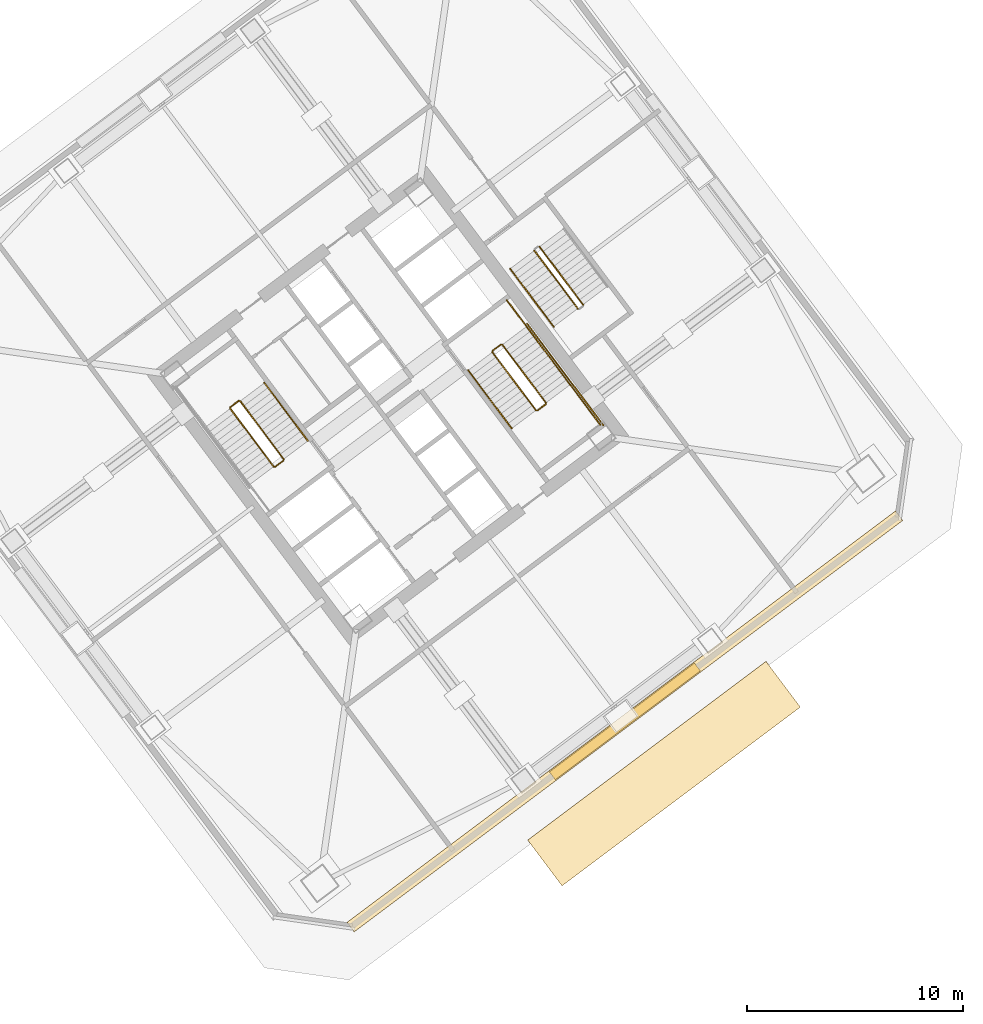
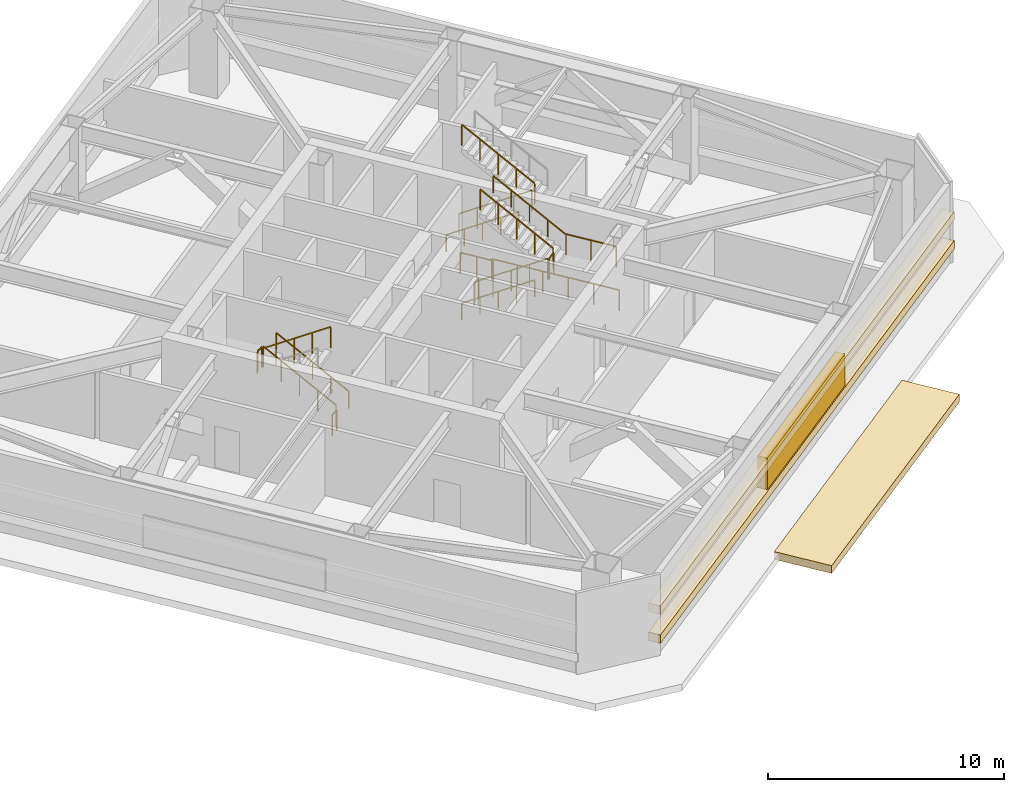
# One storey, part 13 of 15: 17 railings, 3 coverings, 1 shading device.
"""IFC4 building model written with IfcOpenShell, lengths in metres."""

from ifc_helpers import new_model, si_unit, direction, frame, origin, origin_2d, place, context, subcontext, project, spatial, rectangle, extrude, material, layer, layer_set, type_object, element, save


model = new_model("IFC4")

# Units and contexts
model_context = context("Model", 3, precision=1e-05, world=origin(), true_north=direction((0.0, 1.0)))
body_context = subcontext(model_context, "Body", "Model", "MODEL_VIEW")
ifc_project = project(units=[si_unit("LENGTHUNIT", "METRE"), si_unit("AREAUNIT", "SQUARE_METRE"), si_unit("VOLUMEUNIT", "CUBIC_METRE"), si_unit("PLANEANGLEUNIT", "RADIAN"), si_unit("MASSUNIT", "GRAM", prefix="KILO")], contexts=[model_context])

# Site, building, storey
site_placement = place(None, origin())
site = spatial("IfcSite", under=ifc_project, at=site_placement, CompositionType="ELEMENT")
building_placement = place(site_placement, origin())
building = spatial("IfcBuilding", under=site, at=building_placement, Name="Tashvorn Skyway Center", CompositionType="ELEMENT")
storey_placement = place(building_placement, frame((0.0, 0.0, 109.800048828125)))
storey = spatial("IfcBuildingStorey", under=building, at=storey_placement, Name="L29", CompositionType="ELEMENT", Elevation=109.800048828125)

# Coverings
ifc_material_1 = material(Name="Perforated ceramic-coated bronze aluminium solar screen", Category="aluminium")
ifc_layer_1 = layer(ifc_material_1, 0.85009765625)
ifc_layer_set_1 = layer_set([ifc_layer_1], Name="Perforated ceramic-coated bronze aluminium solar screen")
covering_type_1 = type_object("IfcCoveringType", Name="COV-SOLAR-BAND", PredefinedType="CLADDING", material=ifc_layer_set_1)
for number, where, z_axis, x_axis, name in (
    (1, (124.968017578125, 17.3759765625, 1.030029296875), (0.0, 0.0, 1.0), (-0.799999996291, -0.600000004945, 0.0), "Tower 2 L29 South Belt Acoustic Louvre Band 1"),
    (2, (124.968017578125, 17.3759765625, 2.530029296875), (0.0, 0.0, 1.0), (-0.799999996291, -0.600000004945, 0.0), "Tower 2 L29 South Belt Acoustic Louvre Band 2"),
):
    element("IfcCovering", number, at=place(storey_placement, frame(where, z_axis=z_axis, x_axis=x_axis)), inside=storey, type_object=covering_type_1, Name=name, PredefinedType="CLADDING", context=body_context, shape_type="SweptSolid", body=[
        extrude(rectangle(XDim=31.760009765625, YDim=0.550048828125, at=origin_2d()), origin(), (0.0, 0.0, 1.0), 0.43994140625),
    ])
ifc_material_2 = material(Name="Precast concrete C40/50", Category="concrete")
ifc_layer_2 = layer(ifc_material_2, 0.35009765625)
ifc_layer_set_2 = layer_set([ifc_layer_2], Name="Precast concrete C40/50")
covering_type_2 = type_object("IfcCoveringType", Name="COV-STONE-TRIM", PredefinedType="CLADDING", material=ifc_layer_set_2)
covering_placement = place(storey_placement, frame((126.780029296875, 14.9599609375, 0.0), z_axis=(0.0, 0.0, 1.0), x_axis=(-0.799999996291, -0.600000004945, 0.0)))
element("IfcCovering", 3, at=covering_placement, inside=storey, type_object=covering_type_2, Name="Tower 2 L28 Sky Garden Terracotta Canopy Hood", PredefinedType="CLADDING", context=body_context, shape_type="SweptSolid", body=[
    extrude(rectangle(XDim=13.800048828125, YDim=2.64990234375, at=origin_2d()), origin(), (0.0, 0.0, 1.0), 0.39990234375),
])

# Railings
ifc_material_3 = material(Name="Brushed stainless steel 316", Category="steel")
railing_type_1 = type_object("IfcRailingType", Name="RAIL-HAND-920", PredefinedType="HANDRAIL", material=ifc_material_3)
railing_1_placement = place(storey_placement, frame((110.2880859375, 30.365966796875, 0.1767578125)))
element("IfcRailing", 4, at=railing_1_placement, inside=storey, type_object=railing_type_1, Name="L29 ST-T2-1 stair handrail 1", PredefinedType="HANDRAIL", context=body_context, shape_type="SweptSolid", body=[
    extrude(rectangle(XDim=0.048095703125, YDim=0.048095703125, at=origin_2d()), frame((0.0, 0.0, 0.8759765625), z_axis=(-0.507234690862, 0.676271972195, 0.534199576946), x_axis=(-0.79998256135, -0.600023250829, 0.0)), (0.0, 0.0, 1.0), 3.974609375),
    extrude(rectangle(XDim=0.0419921875, YDim=0.0419921875, at=origin_2d()), origin(), (0.0, 0.0, 1.0), 0.851806640625),
    extrude(rectangle(XDim=0.0419921875, YDim=0.0419921875, at=origin_2d()), frame((-0.50390625, 0.671875, 0.53076171875)), (0.0, 0.0, 1.0), 0.851806640625),
    extrude(rectangle(XDim=0.0419921875, YDim=0.0419921875, at=origin_2d()), frame((-1.008056640625, 1.343994140625, 1.0615234375)), (0.0, 0.0, 1.0), 0.851806640625),
    extrude(rectangle(XDim=0.0419921875, YDim=0.0419921875, at=origin_2d()), frame((-1.51220703125, 2.01611328125, 1.592529296875)), (0.0, 0.0, 1.0), 0.851806640625),
    extrude(rectangle(XDim=0.0419921875, YDim=0.0419921875, at=origin_2d()), frame((-2.01611328125, 2.68798828125, 2.123291015625)), (0.0, 0.0, 1.0), 0.851806640625),
])
railing_2_placement = place(storey_placement, frame((117.7119140625, 33.634033203125, 0.1767578125)))
element("IfcRailing", 5, at=railing_2_placement, inside=storey, type_object=railing_type_1, Name="L29 ST-T2-2 stair handrail 1", PredefinedType="HANDRAIL", context=body_context, shape_type="SweptSolid", body=[
    extrude(rectangle(XDim=0.048095703125, YDim=0.048095703125, at=origin_2d()), frame((0.0, 0.0, 0.8759765625), z_axis=(0.507234690862, -0.676271972195, 0.534199576946), x_axis=(0.79998256135, 0.600023250829, 0.0)), (0.0, 0.0, 1.0), 3.974609375),
    extrude(rectangle(XDim=0.0419921875, YDim=0.0419921875, at=origin_2d()), origin(), (0.0, 0.0, 1.0), 0.851806640625),
    extrude(rectangle(XDim=0.0419921875, YDim=0.0419921875, at=origin_2d()), frame((0.50390625, -0.671875, 0.53076171875)), (0.0, 0.0, 1.0), 0.851806640625),
    extrude(rectangle(XDim=0.0419921875, YDim=0.0419921875, at=origin_2d()), frame((1.008056640625, -1.343994140625, 1.0615234375)), (0.0, 0.0, 1.0), 0.851806640625),
    extrude(rectangle(XDim=0.0419921875, YDim=0.0419921875, at=origin_2d()), frame((1.51220703125, -2.01611328125, 1.592529296875)), (0.0, 0.0, 1.0), 0.851806640625),
    extrude(rectangle(XDim=0.0419921875, YDim=0.0419921875, at=origin_2d()), frame((2.01611328125, -2.68798828125, 2.123291015625)), (0.0, 0.0, 1.0), 0.851806640625),
])
railing_3_placement = place(storey_placement, frame((122.431884765625, 32.97412109375, 2.476806640625)))
element("IfcRailing", 6, at=railing_3_placement, inside=storey, type_object=railing_type_1, Name="L29 ST-T2-2 stair handrail 2", PredefinedType="HANDRAIL", context=body_context, shape_type="SweptSolid", body=[
    extrude(rectangle(XDim=0.048095703125, YDim=0.048095703125, at=origin_2d()), frame((0.0, 0.0, 0.8759765625), z_axis=(-0.507205711726, 0.676315233875, 0.534172322777), x_axis=(-0.800017438734, -0.59997674765, 0.0)), (0.0, 0.0, 1.0), 3.974365234375),
    extrude(rectangle(XDim=0.0419921875, YDim=0.0419921875, at=origin_2d()), origin(), (0.0, 0.0, 1.0), 0.851806640625),
    extrude(rectangle(XDim=0.0419921875, YDim=0.0419921875, at=origin_2d()), frame((-0.50390625, 0.671875, 0.53076171875)), (0.0, 0.0, 1.0), 0.851806640625),
    extrude(rectangle(XDim=0.0419921875, YDim=0.0419921875, at=origin_2d()), frame((-1.0078125, 1.343994140625, 1.0615234375)), (0.0, 0.0, 1.0), 0.851806640625),
    extrude(rectangle(XDim=0.0419921875, YDim=0.0419921875, at=origin_2d()), frame((-1.511962890625, 2.01611328125, 1.59228515625)), (0.0, 0.0, 1.0), 0.851806640625),
    extrude(rectangle(XDim=0.0419921875, YDim=0.0419921875, at=origin_2d()), frame((-2.015869140625, 2.68798828125, 2.123046875)), (0.0, 0.0, 1.0), 0.851806640625),
])
railing_4_placement = place(storey_placement, frame((119.656005859375, 38.342041015625, 0.1767578125)))
element("IfcRailing", 7, at=railing_4_placement, inside=storey, type_object=railing_type_1, Name="L29 ST-T2-3 stair handrail 1", PredefinedType="HANDRAIL", context=body_context, shape_type="SweptSolid", body=[
    extrude(rectangle(XDim=0.048095703125, YDim=0.048095703125, at=origin_2d()), frame((0.0, 0.0, 0.8759765625), z_axis=(0.507234690862, -0.676271972195, 0.534199576946), x_axis=(0.79998256135, 0.600023250829, 0.0)), (0.0, 0.0, 1.0), 3.974609375),
    extrude(rectangle(XDim=0.0419921875, YDim=0.0419921875, at=origin_2d()), origin(), (0.0, 0.0, 1.0), 0.851806640625),
    extrude(rectangle(XDim=0.0419921875, YDim=0.0419921875, at=origin_2d()), frame((0.50390625, -0.671875, 0.53076171875)), (0.0, 0.0, 1.0), 0.851806640625),
    extrude(rectangle(XDim=0.0419921875, YDim=0.0419921875, at=origin_2d()), frame((1.008056640625, -1.343994140625, 1.0615234375)), (0.0, 0.0, 1.0), 0.851806640625),
    extrude(rectangle(XDim=0.0419921875, YDim=0.0419921875, at=origin_2d()), frame((1.51220703125, -2.01611328125, 1.592529296875)), (0.0, 0.0, 1.0), 0.851806640625),
    extrude(rectangle(XDim=0.0419921875, YDim=0.0419921875, at=origin_2d()), frame((2.01611328125, -2.68798828125, 2.123291015625)), (0.0, 0.0, 1.0), 0.851806640625),
])
ifc_material_4 = material(Name="Painted galvanized steel S355", Category="steel")
railing_type_2 = type_object("IfcRailingType", Name="RAIL-STGUARD-1100", PredefinedType="GUARDRAIL", material=ifc_material_4)
railing_5_placement = place(storey_placement, frame((109.16796875, 29.52587890625, 0.1767578125)))
element("IfcRailing", 8, at=railing_5_placement, inside=storey, type_object=railing_type_2, Name="L29 ST-T2-1 stair guard 1", PredefinedType="GUARDRAIL", context=body_context, shape_type="SweptSolid", body=[
    extrude(rectangle(XDim=0.048095703125, YDim=0.048095703125, at=origin_2d()), frame((0.0, 0.0, 1.076171875), z_axis=(-0.507167999696, 0.676326370916, 0.534194028504), x_axis=(-0.800043593035, -0.599941871554, 0.0)), (0.0, 0.0, 1.0), 3.974853515625),
    extrude(rectangle(XDim=0.0419921875, YDim=0.0419921875, at=origin_2d()), origin(), (0.0, 0.0, 1.0), 1.052001953125),
    extrude(rectangle(XDim=0.0419921875, YDim=0.0419921875, at=origin_2d()), frame((-0.50390625, 0.672119140625, 0.53076171875)), (0.0, 0.0, 1.0), 1.052001953125),
    extrude(rectangle(XDim=0.0419921875, YDim=0.0419921875, at=origin_2d()), frame((-1.0078125, 1.34423828125, 1.0615234375)), (0.0, 0.0, 1.0), 1.052001953125),
    extrude(rectangle(XDim=0.0419921875, YDim=0.0419921875, at=origin_2d()), frame((-1.511962890625, 2.01611328125, 1.592529296875)), (0.0, 0.0, 1.0), 1.052001953125),
    extrude(rectangle(XDim=0.0419921875, YDim=0.0419921875, at=origin_2d()), frame((-2.015869140625, 2.688232421875, 2.123291015625)), (0.0, 0.0, 1.0), 1.052001953125),
])
railing_6_placement = place(storey_placement, frame((107.08203125, 32.22412109375, 2.300048828125)))
element("IfcRailing", 9, at=railing_6_placement, inside=storey, type_object=railing_type_2, Name="L29 ST-T2-1 stair guard 2", PredefinedType="GUARDRAIL", context=body_context, shape_type="SweptSolid", body=[
    extrude(rectangle(XDim=0.048095703125, YDim=0.048095703125, at=origin_2d()), frame((0.0, 0.0, 1.076171875), z_axis=(-0.799938970639, -0.600081363861, 0.0), x_axis=(0.600081363861, -0.799938970639, 0.0)), (0.0, 0.0, 1.0), 0.47998046875),
    extrude(rectangle(XDim=0.0419921875, YDim=0.0419921875, at=origin_2d()), origin(), (0.0, 0.0, 1.0), 1.052001953125),
    extrude(rectangle(XDim=0.0419921875, YDim=0.0419921875, at=origin_2d()), frame((-0.384033203125, -0.2880859375, 0.0)), (0.0, 0.0, 1.0), 1.052001953125),
])
railing_7_placement = place(storey_placement, frame((106.68798828125, 31.865966796875, 2.476806640625)))
element("IfcRailing", 10, at=railing_7_placement, inside=storey, type_object=railing_type_2, Name="L29 ST-T2-1 stair guard 4", PredefinedType="GUARDRAIL", context=body_context, shape_type="SweptSolid", body=[
    extrude(rectangle(XDim=0.048095703125, YDim=0.048095703125, at=origin_2d()), frame((0.0, 0.0, 1.076171875), z_axis=(0.507251334297, -0.676294162098, 0.53415567971), x_axis=(0.79998256135, 0.600023250829, 0.0)), (0.0, 0.0, 1.0), 3.974609375),
    extrude(rectangle(XDim=0.0419921875, YDim=0.0419921875, at=origin_2d()), origin(), (0.0, 0.0, 1.0), 1.052001953125),
    extrude(rectangle(XDim=0.0419921875, YDim=0.0419921875, at=origin_2d()), frame((0.50390625, -0.671875, 0.53076171875)), (0.0, 0.0, 1.0), 1.052001953125),
    extrude(rectangle(XDim=0.0419921875, YDim=0.0419921875, at=origin_2d()), frame((1.008056640625, -1.343994140625, 1.0615234375)), (0.0, 0.0, 1.0), 1.052001953125),
    extrude(rectangle(XDim=0.0419921875, YDim=0.0419921875, at=origin_2d()), frame((1.51220703125, -2.01611328125, 1.59228515625)), (0.0, 0.0, 1.0), 1.052001953125),
    extrude(rectangle(XDim=0.0419921875, YDim=0.0419921875, at=origin_2d()), frame((2.01611328125, -2.68798828125, 2.123046875)), (0.0, 0.0, 1.0), 1.052001953125),
])
railing_8_placement = place(storey_placement, frame((109.157958984375, 29.4560546875, 0.0)))
element("IfcRailing", 11, at=railing_8_placement, inside=storey, type_object=railing_type_2, Name="L29 ST-T2-1 stair guard 5", PredefinedType="GUARDRAIL", context=body_context, shape_type="SweptSolid", body=[
    extrude(rectangle(XDim=0.048095703125, YDim=0.048095703125, at=origin_2d()), frame((0.0, 0.0, 1.076171875), z_axis=(-0.799938970639, -0.600081363861, 0.0), x_axis=(0.600081363861, -0.799938970639, 0.0)), (0.0, 0.0, 1.0), 0.47998046875),
    extrude(rectangle(XDim=0.0419921875, YDim=0.0419921875, at=origin_2d()), origin(), (0.0, 0.0, 1.0), 1.052001953125),
    extrude(rectangle(XDim=0.0419921875, YDim=0.0419921875, at=origin_2d()), frame((-0.384033203125, -0.2880859375, 0.0)), (0.0, 0.0, 1.0), 1.052001953125),
])
railing_9_placement = place(storey_placement, frame((118.83203125, 34.47412109375, 0.1767578125)))
element("IfcRailing", 12, at=railing_9_placement, inside=storey, type_object=railing_type_2, Name="L29 ST-T2-2 stair guard 1", PredefinedType="GUARDRAIL", context=body_context, shape_type="SweptSolid", body=[
    extrude(rectangle(XDim=0.048095703125, YDim=0.048095703125, at=origin_2d()), frame((0.0, 0.0, 1.076171875), z_axis=(0.507167999696, -0.676326370916, 0.534194028504), x_axis=(0.800043593035, 0.599941871554, 0.0)), (0.0, 0.0, 1.0), 3.974853515625),
    extrude(rectangle(XDim=0.0419921875, YDim=0.0419921875, at=origin_2d()), origin(), (0.0, 0.0, 1.0), 1.052001953125),
    extrude(rectangle(XDim=0.0419921875, YDim=0.0419921875, at=origin_2d()), frame((0.50390625, -0.672119140625, 0.53076171875)), (0.0, 0.0, 1.0), 1.052001953125),
    extrude(rectangle(XDim=0.0419921875, YDim=0.0419921875, at=origin_2d()), frame((1.0078125, -1.34423828125, 1.0615234375)), (0.0, 0.0, 1.0), 1.052001953125),
    extrude(rectangle(XDim=0.0419921875, YDim=0.0419921875, at=origin_2d()), frame((1.511962890625, -2.01611328125, 1.592529296875)), (0.0, 0.0, 1.0), 1.052001953125),
    extrude(rectangle(XDim=0.0419921875, YDim=0.0419921875, at=origin_2d()), frame((2.015869140625, -2.688232421875, 2.123291015625)), (0.0, 0.0, 1.0), 1.052001953125),
])
railing_10_placement = place(storey_placement, frame((120.91796875, 31.77587890625, 2.300048828125)))
element("IfcRailing", 13, at=railing_10_placement, inside=storey, type_object=railing_type_2, Name="L29 ST-T2-2 stair guard 2", PredefinedType="GUARDRAIL", context=body_context, shape_type="SweptSolid", body=[
    extrude(rectangle(XDim=0.048095703125, YDim=0.048095703125, at=origin_2d()), frame((0.0, 0.0, 1.076171875), z_axis=(0.799938970639, 0.600081363861, 0.0), x_axis=(-0.600081363861, 0.799938970639, 0.0)), (0.0, 0.0, 1.0), 0.47998046875),
    extrude(rectangle(XDim=0.0419921875, YDim=0.0419921875, at=origin_2d()), origin(), (0.0, 0.0, 1.0), 1.052001953125),
    extrude(rectangle(XDim=0.0419921875, YDim=0.0419921875, at=origin_2d()), frame((0.384033203125, 0.2880859375, 0.0)), (0.0, 0.0, 1.0), 1.052001953125),
])
railing_11_placement = place(storey_placement, frame((122.431884765625, 32.97412109375, 2.300048828125)))
element("IfcRailing", 14, at=railing_11_placement, inside=storey, type_object=railing_type_2, Name="L29 ST-T2-2 stair guard 3", PredefinedType="GUARDRAIL", context=body_context, shape_type="SweptSolid", body=[
    extrude(rectangle(XDim=0.048095703125, YDim=0.048095703125, at=origin_2d()), frame((0.0, 0.0, 1.076171875), z_axis=(0.599983164142, -0.800012626617, 0.0), x_axis=(0.800012626617, 0.599983164142, 0.0)), (0.0, 0.0, 1.0), 2.3203125),
    extrude(rectangle(XDim=0.0419921875, YDim=0.0419921875, at=origin_2d()), origin(), (0.0, 0.0, 1.0), 1.052001953125),
    extrude(rectangle(XDim=0.0419921875, YDim=0.0419921875, at=origin_2d()), frame((0.696044921875, -0.92822265625, 0.0)), (0.0, 0.0, 1.0), 1.052001953125),
    extrude(rectangle(XDim=0.0419921875, YDim=0.0419921875, at=origin_2d()), frame((1.39208984375, -1.856201171875, 0.0)), (0.0, 0.0, 1.0), 1.052001953125),
])
railing_12_placement = place(storey_placement, frame((121.31201171875, 32.134033203125, 2.476806640625)))
element("IfcRailing", 15, at=railing_12_placement, inside=storey, type_object=railing_type_2, Name="L29 ST-T2-2 stair guard 4", PredefinedType="GUARDRAIL", context=body_context, shape_type="SweptSolid", body=[
    extrude(rectangle(XDim=0.048095703125, YDim=0.048095703125, at=origin_2d()), frame((0.0, 0.0, 1.076171875), z_axis=(-0.507251334297, 0.676294162098, 0.53415567971), x_axis=(-0.79998256135, -0.600023250829, 0.0)), (0.0, 0.0, 1.0), 3.974609375),
    extrude(rectangle(XDim=0.0419921875, YDim=0.0419921875, at=origin_2d()), origin(), (0.0, 0.0, 1.0), 1.052001953125),
    extrude(rectangle(XDim=0.0419921875, YDim=0.0419921875, at=origin_2d()), frame((-0.50390625, 0.671875, 0.53076171875)), (0.0, 0.0, 1.0), 1.052001953125),
    extrude(rectangle(XDim=0.0419921875, YDim=0.0419921875, at=origin_2d()), frame((-1.008056640625, 1.343994140625, 1.0615234375)), (0.0, 0.0, 1.0), 1.052001953125),
    extrude(rectangle(XDim=0.0419921875, YDim=0.0419921875, at=origin_2d()), frame((-1.51220703125, 2.01611328125, 1.59228515625)), (0.0, 0.0, 1.0), 1.052001953125),
    extrude(rectangle(XDim=0.0419921875, YDim=0.0419921875, at=origin_2d()), frame((-2.01611328125, 2.68798828125, 2.123046875)), (0.0, 0.0, 1.0), 1.052001953125),
])
railing_13_placement = place(storey_placement, frame((118.842041015625, 34.5439453125, 0.0)))
element("IfcRailing", 16, at=railing_13_placement, inside=storey, type_object=railing_type_2, Name="L29 ST-T2-2 stair guard 5", PredefinedType="GUARDRAIL", context=body_context, shape_type="SweptSolid", body=[
    extrude(rectangle(XDim=0.048095703125, YDim=0.048095703125, at=origin_2d()), frame((0.0, 0.0, 1.076171875), z_axis=(0.799938970639, 0.600081363861, 0.0), x_axis=(-0.600081363861, 0.799938970639, 0.0)), (0.0, 0.0, 1.0), 0.47998046875),
    extrude(rectangle(XDim=0.0419921875, YDim=0.0419921875, at=origin_2d()), origin(), (0.0, 0.0, 1.0), 1.052001953125),
    extrude(rectangle(XDim=0.0419921875, YDim=0.0419921875, at=origin_2d()), frame((0.384033203125, 0.2880859375, 0.0)), (0.0, 0.0, 1.0), 1.052001953125),
])
railing_14_placement = place(storey_placement, frame((119.50390625, 36.8779296875, 0.0)))
element("IfcRailing", 17, at=railing_14_placement, inside=storey, type_object=railing_type_2, Name="L29 ST-T2-2 stair guard 6", PredefinedType="GUARDRAIL", context=body_context, shape_type="SweptSolid", body=[
    extrude(rectangle(XDim=0.048095703125, YDim=0.048095703125, at=origin_2d()), frame((0.0, 0.0, 1.076171875), z_axis=(0.600102796382, -0.799922892393, 0.0), x_axis=(0.799922892393, 0.600102796382, 0.0)), (0.0, 0.0, 1.0), 1.52001953125),
    extrude(rectangle(XDim=0.0419921875, YDim=0.0419921875, at=origin_2d()), origin(), (0.0, 0.0, 1.0), 1.052001953125),
    extrude(rectangle(XDim=0.0419921875, YDim=0.0419921875, at=origin_2d()), frame((0.4560546875, -0.60791015625, 0.0)), (0.0, 0.0, 1.0), 1.052001953125),
    extrude(rectangle(XDim=0.0419921875, YDim=0.0419921875, at=origin_2d()), frame((0.912109375, -1.2158203125, 0.0)), (0.0, 0.0, 1.0), 1.052001953125),
])
railing_15_placement = place(storey_placement, frame((120.43603515625, 35.802001953125, 0.0)))
element("IfcRailing", 18, at=railing_15_placement, inside=storey, type_object=railing_type_2, Name="L29 ST-T2-2 stair guard 7", PredefinedType="GUARDRAIL", context=body_context, shape_type="SweptSolid", body=[
    extrude(rectangle(XDim=0.048095703125, YDim=0.048095703125, at=origin_2d()), frame((0.0, 0.0, 1.076171875), z_axis=(0.6, -0.8, 0.0), x_axis=(0.8, 0.6, 0.0)), (0.0, 0.0, 1.0), 5.880126953125),
    extrude(rectangle(XDim=0.0419921875, YDim=0.0419921875, at=origin_2d()), origin(), (0.0, 0.0, 1.0), 1.052001953125),
    extrude(rectangle(XDim=0.0419921875, YDim=0.0419921875, at=origin_2d()), frame((0.70556640625, -0.94091796875, 0.0)), (0.0, 0.0, 1.0), 1.052001953125),
    extrude(rectangle(XDim=0.0419921875, YDim=0.0419921875, at=origin_2d()), frame((1.4111328125, -1.881591796875, 0.0)), (0.0, 0.0, 1.0), 1.052001953125),
    extrude(rectangle(XDim=0.0419921875, YDim=0.0419921875, at=origin_2d()), frame((2.116943359375, -2.822509765625, 0.0)), (0.0, 0.0, 1.0), 1.052001953125),
    extrude(rectangle(XDim=0.0419921875, YDim=0.0419921875, at=origin_2d()), frame((2.822509765625, -3.76318359375, 0.0)), (0.0, 0.0, 1.0), 1.052001953125),
    extrude(rectangle(XDim=0.0419921875, YDim=0.0419921875, at=origin_2d()), frame((3.528076171875, -4.7041015625, 0.0)), (0.0, 0.0, 1.0), 1.052001953125),
])
railing_16_placement = place(storey_placement, frame((120.77587890625, 39.181884765625, 0.1767578125)))
element("IfcRailing", 19, at=railing_16_placement, inside=storey, type_object=railing_type_2, Name="L29 ST-T2-3 stair guard 1", PredefinedType="GUARDRAIL", context=body_context, shape_type="SweptSolid", body=[
    extrude(rectangle(XDim=0.048095703125, YDim=0.048095703125, at=origin_2d()), frame((0.0, 0.0, 1.076171875), z_axis=(0.507234690862, -0.676271972195, 0.534199576946), x_axis=(0.79998256135, 0.600023250829, 0.0)), (0.0, 0.0, 1.0), 3.974609375),
    extrude(rectangle(XDim=0.0419921875, YDim=0.0419921875, at=origin_2d()), origin(), (0.0, 0.0, 1.0), 1.052001953125),
    extrude(rectangle(XDim=0.0419921875, YDim=0.0419921875, at=origin_2d()), frame((0.50390625, -0.671875, 0.53076171875)), (0.0, 0.0, 1.0), 1.052001953125),
    extrude(rectangle(XDim=0.0419921875, YDim=0.0419921875, at=origin_2d()), frame((1.008056640625, -1.343994140625, 1.0615234375)), (0.0, 0.0, 1.0), 1.052001953125),
    extrude(rectangle(XDim=0.0419921875, YDim=0.0419921875, at=origin_2d()), frame((1.51220703125, -2.01611328125, 1.592529296875)), (0.0, 0.0, 1.0), 1.052001953125),
    extrude(rectangle(XDim=0.0419921875, YDim=0.0419921875, at=origin_2d()), frame((2.01611328125, -2.68798828125, 2.123291015625)), (0.0, 0.0, 1.0), 1.052001953125),
])
railing_17_placement = place(storey_placement, frame((123.031982421875, 36.674072265625, 2.476806640625)))
element("IfcRailing", 20, at=railing_17_placement, inside=storey, type_object=railing_type_2, Name="L29 ST-T2-3 stair guard 3", PredefinedType="GUARDRAIL", context=body_context, shape_type="SweptSolid", body=[
    extrude(rectangle(XDim=0.048095703125, YDim=0.048095703125, at=origin_2d()), frame((0.0, 0.0, 1.076171875), z_axis=(-0.507205711726, 0.676315233875, 0.534172322777), x_axis=(-0.800017438734, -0.59997674765, 0.0)), (0.0, 0.0, 1.0), 3.974365234375),
    extrude(rectangle(XDim=0.0419921875, YDim=0.0419921875, at=origin_2d()), origin(), (0.0, 0.0, 1.0), 1.052001953125),
    extrude(rectangle(XDim=0.0419921875, YDim=0.0419921875, at=origin_2d()), frame((-0.50390625, 0.671875, 0.53076171875)), (0.0, 0.0, 1.0), 1.052001953125),
    extrude(rectangle(XDim=0.0419921875, YDim=0.0419921875, at=origin_2d()), frame((-1.0078125, 1.343994140625, 1.0615234375)), (0.0, 0.0, 1.0), 1.052001953125),
    extrude(rectangle(XDim=0.0419921875, YDim=0.0419921875, at=origin_2d()), frame((-1.511962890625, 2.01611328125, 1.59228515625)), (0.0, 0.0, 1.0), 1.052001953125),
    extrude(rectangle(XDim=0.0419921875, YDim=0.0419921875, at=origin_2d()), frame((-2.015869140625, 2.68798828125, 2.123046875)), (0.0, 0.0, 1.0), 1.052001953125),
])

# Shading device
ifc_material_5 = material(Name="Thermally broken bronze-anodized aluminium 6063-T6", Category="aluminium")
ifc_layer_3 = layer(ifc_material_5, 0.1201171875)
ifc_layer_set_3 = layer_set([ifc_layer_3], Name="Thermally broken bronze-anodized aluminium 6063-T6")
shading_device_type = type_object("IfcShadingDeviceType", Name="SHD-LOUVRE-450", PredefinedType="JALOUSIE", material=ifc_layer_set_3)
shading_device_placement = place(storey_placement, frame((124.968017578125, 17.3759765625, 1.2998046875), z_axis=(0.0, 0.0, 1.0), x_axis=(-0.799999996291, -0.600000004945, 0.0)))
element("IfcShadingDevice", 21, at=shading_device_placement, inside=storey, type_object=shading_device_type, Name="Tower 2 L29 South Mechanical Intake Louvre", PredefinedType="JALOUSIE", context=body_context, shape_type="SweptSolid", body=[
    extrude(rectangle(XDim=8.39990234375, YDim=0.449951171875, at=origin_2d()), origin(), (0.0, 0.0, 1.0), 1.800048828125),
])

save(model, "model.ifc")
